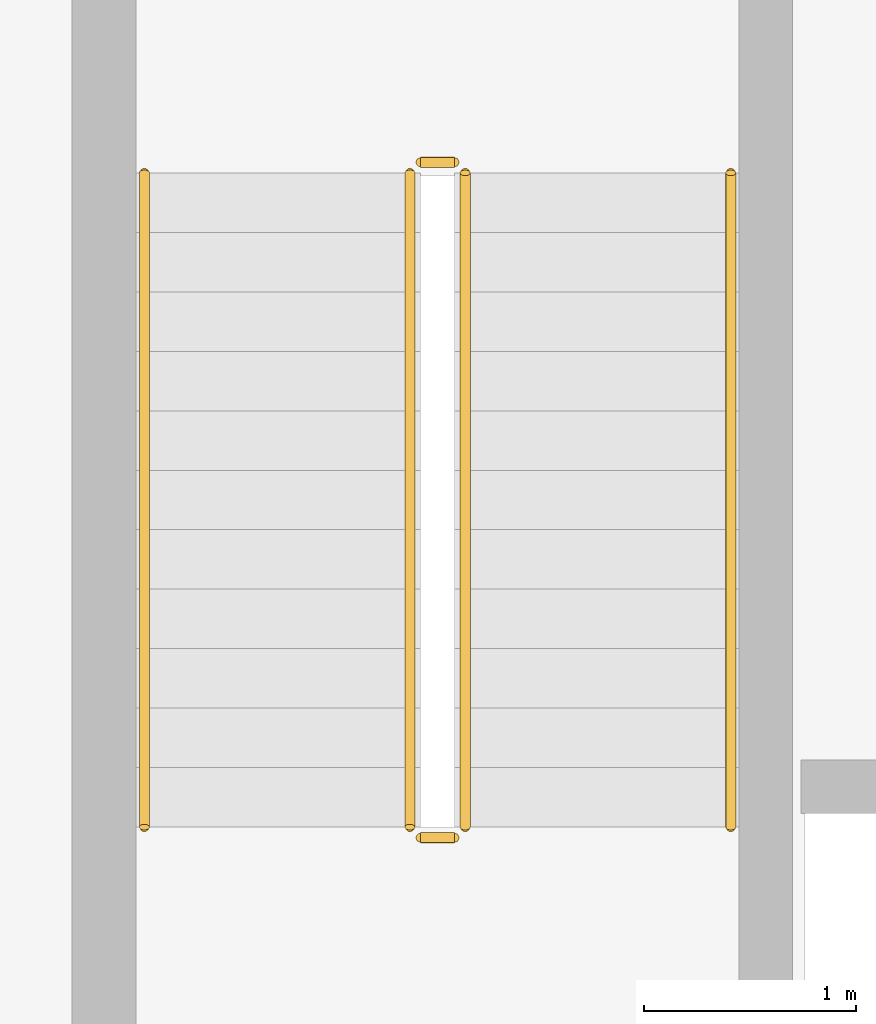
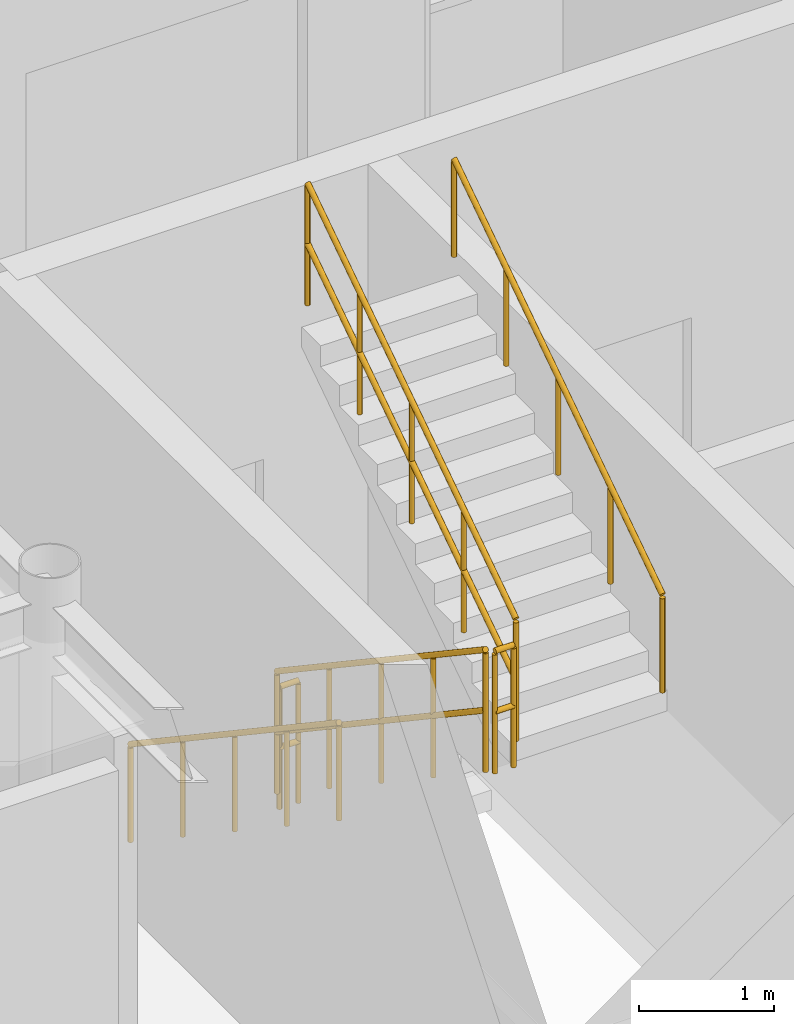
# One storey, part 114 of 119: 6 railings.
"""IFC4 building model written with IfcOpenShell, lengths in metres."""

from ifc_helpers import new_model, si_unit, derived_unit, direction, frame, origin, origin_2d_with_axis, place, context, subcontext, project, spatial, circle, extrude, material, layer, layer_set, type_object, element, save


model = new_model("IFC4")

# Units and contexts
model_context = context("Model", 3, precision=1e-05, world=origin(), true_north=direction((0.0, 1.0)))
body_context = subcontext(model_context, "Body", "Model", "MODEL_VIEW")
ifc_project = project(units=[si_unit("LENGTHUNIT", "METRE"), si_unit("AREAUNIT", "SQUARE_METRE"), si_unit("VOLUMEUNIT", "CUBIC_METRE"), si_unit("PLANEANGLEUNIT", "RADIAN"), si_unit("MASSUNIT", "GRAM", prefix="KILO"), derived_unit("THERMALTRANSMITTANCEUNIT", [(si_unit("POWERUNIT", "WATT"), 1), (si_unit("LENGTHUNIT", "METRE"), -2), (si_unit("THERMODYNAMICTEMPERATUREUNIT", "KELVIN"), -1)])], contexts=[model_context])

# Site, building, storey
site_placement = place(None, origin())
site = spatial("IfcSite", under=ifc_project, at=site_placement, CompositionType="ELEMENT")
building_placement = place(site_placement, origin())
building = spatial("IfcBuilding", under=site, at=building_placement, Name="Cinnabar Yard Market Hall", CompositionType="ELEMENT")
storey_placement = place(building_placement, origin())
storey = spatial("IfcBuildingStorey", under=building, at=storey_placement, Name="L00", CompositionType="ELEMENT", Elevation=0.0)

# Railings
ifc_material_1 = material(Name="Galvanised steel Grade 300 (300 MPa) guardrail", Category="steel")
ifc_layer_1 = layer(ifc_material_1, 0.06005859375)
ifc_layer_set_1 = layer_set([ifc_layer_1], Name="Galvanised steel Grade 300 (300 MPa) guardrail")
railing_type_1 = type_object("IfcRailingType", Name="RL-G03", PredefinedType="GUARDRAIL", material=ifc_layer_set_1)
railing_1_placement = place(storey_placement, frame((139.0400390625, 65.909912109375, 0.1875)))
element("IfcRailing", 1, at=railing_1_placement, inside=storey, type_object=railing_type_1, Name="L00 ST-C7 stair guard 1", PredefinedType="GUARDRAIL", context=body_context, shape_type="SweptSolid", body=[
    extrude(circle(Radius=0.02392578125, at=origin_2d_with_axis()), frame((0.0, 0.0, 1.09619140625), z_axis=(0.0, -0.830893310487, 0.556431762742), x_axis=(1.0, 0.0, 0.0)), (0.0, 0.0, 1.0), 3.70654296875),
    extrude(circle(Radius=0.02392578125, at=origin_2d_with_axis()), frame((0.0, 0.0, 0.550048828125), z_axis=(0.0, -0.830893310487, 0.556431762742), x_axis=(1.0, 0.0, 0.0)), (0.0, 0.0, 1.0), 3.70654296875),
    extrude(circle(Radius=0.02099609375, at=origin_2d_with_axis()), origin(), (0.0, 0.0, 1.0), 1.072021484375),
    extrude(circle(Radius=0.02099609375, at=origin_2d_with_axis()), frame((0.0, -0.77001953125, 0.515625)), (0.0, 0.0, 1.0), 1.072021484375),
    extrude(circle(Radius=0.02099609375, at=origin_2d_with_axis()), frame((0.0, -1.5400390625, 1.03125)), (0.0, 0.0, 1.0), 1.072021484375),
    extrude(circle(Radius=0.02099609375, at=origin_2d_with_axis()), frame((0.0, -2.309814453125, 1.546875)), (0.0, 0.0, 1.0), 1.072021484375),
    extrude(circle(Radius=0.02099609375, at=origin_2d_with_axis()), frame((0.0, -3.079833984375, 2.0625)), (0.0, 0.0, 1.0), 1.072021484375),
])
railing_2_placement = place(storey_placement, frame((139.090087890625, 62.780029296875, 2.25)))
element("IfcRailing", 2, at=railing_2_placement, inside=storey, type_object=railing_type_1, Name="L00 ST-C7 stair guard 2", PredefinedType="GUARDRAIL", context=body_context, shape_type="SweptSolid", body=[
    extrude(circle(Radius=0.02392578125, at=origin_2d_with_axis()), frame((0.0, 0.0, 1.09619140625), z_axis=(1.0, 0.0, 0.0), x_axis=(0.0, 1.0, 0.0)), (0.0, 0.0, 1.0), 0.159912109375),
    extrude(circle(Radius=0.02392578125, at=origin_2d_with_axis()), frame((0.0, 0.0, 0.550048828125), z_axis=(1.0, 0.0, 0.0), x_axis=(0.0, 1.0, 0.0)), (0.0, 0.0, 1.0), 0.159912109375),
    extrude(circle(Radius=0.02099609375, at=origin_2d_with_axis()), origin(), (0.0, 0.0, 1.0), 1.072021484375),
    extrude(circle(Radius=0.02099609375, at=origin_2d_with_axis()), frame((0.159912109375, 0.0, 0.0)), (0.0, 0.0, 1.0), 1.072021484375),
])
railing_3_placement = place(storey_placement, frame((139.300048828125, 62.830078125, 2.4375)))
element("IfcRailing", 3, at=railing_3_placement, inside=storey, type_object=railing_type_1, Name="L00 ST-C7 stair guard 3", PredefinedType="GUARDRAIL", context=body_context, shape_type="SweptSolid", body=[
    extrude(circle(Radius=0.02392578125, at=origin_2d_with_axis()), frame((0.0, 0.0, 1.09619140625), z_axis=(0.0, 0.830893310487, 0.556431762742), x_axis=(-1.0, 0.0, 0.0)), (0.0, 0.0, 1.0), 3.70654296875),
    extrude(circle(Radius=0.02392578125, at=origin_2d_with_axis()), frame((0.0, 0.0, 0.550048828125), z_axis=(0.0, 0.830893310487, 0.556431762742), x_axis=(-1.0, 0.0, 0.0)), (0.0, 0.0, 1.0), 3.70654296875),
    extrude(circle(Radius=0.02099609375, at=origin_2d_with_axis()), origin(), (0.0, 0.0, 1.0), 1.072021484375),
    extrude(circle(Radius=0.02099609375, at=origin_2d_with_axis()), frame((0.0, 0.77001953125, 0.515625)), (0.0, 0.0, 1.0), 1.072021484375),
    extrude(circle(Radius=0.02099609375, at=origin_2d_with_axis()), frame((0.0, 1.5400390625, 1.03125)), (0.0, 0.0, 1.0), 1.072021484375),
    extrude(circle(Radius=0.02099609375, at=origin_2d_with_axis()), frame((0.0, 2.309814453125, 1.546875)), (0.0, 0.0, 1.0), 1.072021484375),
    extrude(circle(Radius=0.02099609375, at=origin_2d_with_axis()), frame((0.0, 3.079833984375, 2.0625)), (0.0, 0.0, 1.0), 1.072021484375),
])
railing_4_placement = place(storey_placement, frame((139.090087890625, 65.9599609375, 0.0)))
element("IfcRailing", 4, at=railing_4_placement, inside=storey, type_object=railing_type_1, Name="L00 ST-C7 stair guard 4", PredefinedType="GUARDRAIL", context=body_context, shape_type="SweptSolid", body=[
    extrude(circle(Radius=0.02392578125, at=origin_2d_with_axis()), frame((0.0, 0.0, 1.09619140625), z_axis=(1.0, 0.0, 0.0), x_axis=(0.0, 1.0, 0.0)), (0.0, 0.0, 1.0), 0.159912109375),
    extrude(circle(Radius=0.02392578125, at=origin_2d_with_axis()), frame((0.0, 0.0, 0.550048828125), z_axis=(1.0, 0.0, 0.0), x_axis=(0.0, 1.0, 0.0)), (0.0, 0.0, 1.0), 0.159912109375),
    extrude(circle(Radius=0.02099609375, at=origin_2d_with_axis()), origin(), (0.0, 0.0, 1.0), 1.072021484375),
    extrude(circle(Radius=0.02099609375, at=origin_2d_with_axis()), frame((0.159912109375, 0.0, 0.0)), (0.0, 0.0, 1.0), 1.072021484375),
])
ifc_material_2 = material(Name="Brushed stainless steel handrail", Category="steel")
ifc_layer_2 = layer(ifc_material_2, 0.050048828125)
ifc_layer_set_2 = layer_set([ifc_layer_2], Name="Brushed stainless steel handrail")
railing_type_2 = type_object("IfcRailingType", Name="RL-HR1", PredefinedType="HANDRAIL", material=ifc_layer_set_2)
railing_5_placement = place(storey_placement, frame((137.7900390625, 65.909912109375, 0.1875)))
element("IfcRailing", 5, at=railing_5_placement, inside=storey, type_object=railing_type_2, Name="L00 ST-C7 stair handrail 1", PredefinedType="HANDRAIL", context=body_context, shape_type="SweptSolid", body=[
    extrude(circle(Radius=0.02392578125, at=origin_2d_with_axis()), frame((0.0, 0.0, 0.8759765625), z_axis=(0.0, -0.830893310487, 0.556431762742), x_axis=(1.0, 0.0, 0.0)), (0.0, 0.0, 1.0), 3.70654296875),
    extrude(circle(Radius=0.02099609375, at=origin_2d_with_axis()), origin(), (0.0, 0.0, 1.0), 0.851806640625),
    extrude(circle(Radius=0.02099609375, at=origin_2d_with_axis()), frame((0.0, -0.77001953125, 0.515625)), (0.0, 0.0, 1.0), 0.851806640625),
    extrude(circle(Radius=0.02099609375, at=origin_2d_with_axis()), frame((0.0, -1.5400390625, 1.03125)), (0.0, 0.0, 1.0), 0.851806640625),
    extrude(circle(Radius=0.02099609375, at=origin_2d_with_axis()), frame((0.0, -2.309814453125, 1.546875)), (0.0, 0.0, 1.0), 0.851806640625),
    extrude(circle(Radius=0.02099609375, at=origin_2d_with_axis()), frame((0.0, -3.079833984375, 2.0625)), (0.0, 0.0, 1.0), 0.851806640625),
])
railing_6_placement = place(storey_placement, frame((140.550048828125, 62.830078125, 2.4375)))
element("IfcRailing", 6, at=railing_6_placement, inside=storey, type_object=railing_type_2, Name="L00 ST-C7 stair handrail 2", PredefinedType="HANDRAIL", context=body_context, shape_type="SweptSolid", body=[
    extrude(circle(Radius=0.02392578125, at=origin_2d_with_axis()), frame((0.0, 0.0, 0.8759765625), z_axis=(0.0, 0.830893310487, 0.556431762742), x_axis=(-1.0, 0.0, 0.0)), (0.0, 0.0, 1.0), 3.70654296875),
    extrude(circle(Radius=0.02099609375, at=origin_2d_with_axis()), origin(), (0.0, 0.0, 1.0), 0.851806640625),
    extrude(circle(Radius=0.02099609375, at=origin_2d_with_axis()), frame((0.0, 0.77001953125, 0.515625)), (0.0, 0.0, 1.0), 0.851806640625),
    extrude(circle(Radius=0.02099609375, at=origin_2d_with_axis()), frame((0.0, 1.5400390625, 1.03125)), (0.0, 0.0, 1.0), 0.851806640625),
    extrude(circle(Radius=0.02099609375, at=origin_2d_with_axis()), frame((0.0, 2.309814453125, 1.546875)), (0.0, 0.0, 1.0), 0.851806640625),
    extrude(circle(Radius=0.02099609375, at=origin_2d_with_axis()), frame((0.0, 3.079833984375, 2.0625)), (0.0, 0.0, 1.0), 0.851806640625),
])

save(model, "model.ifc")
